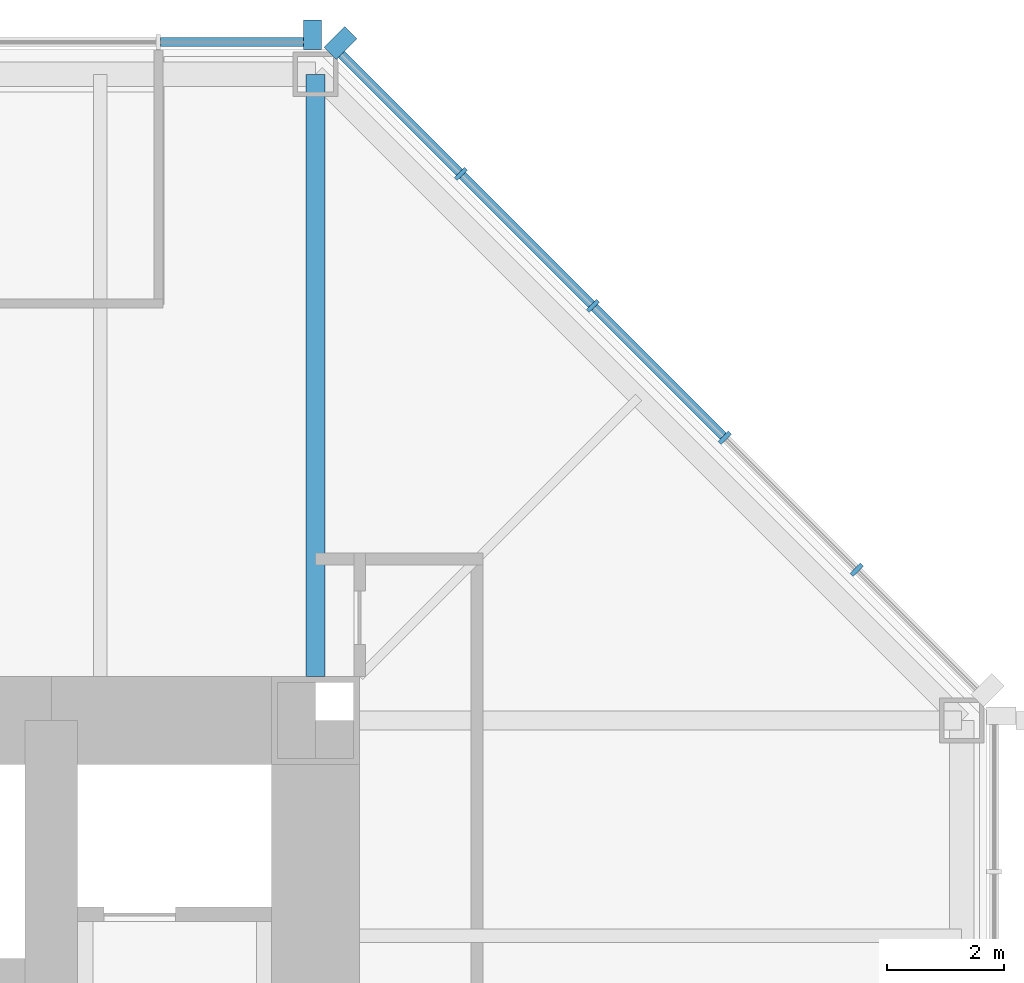
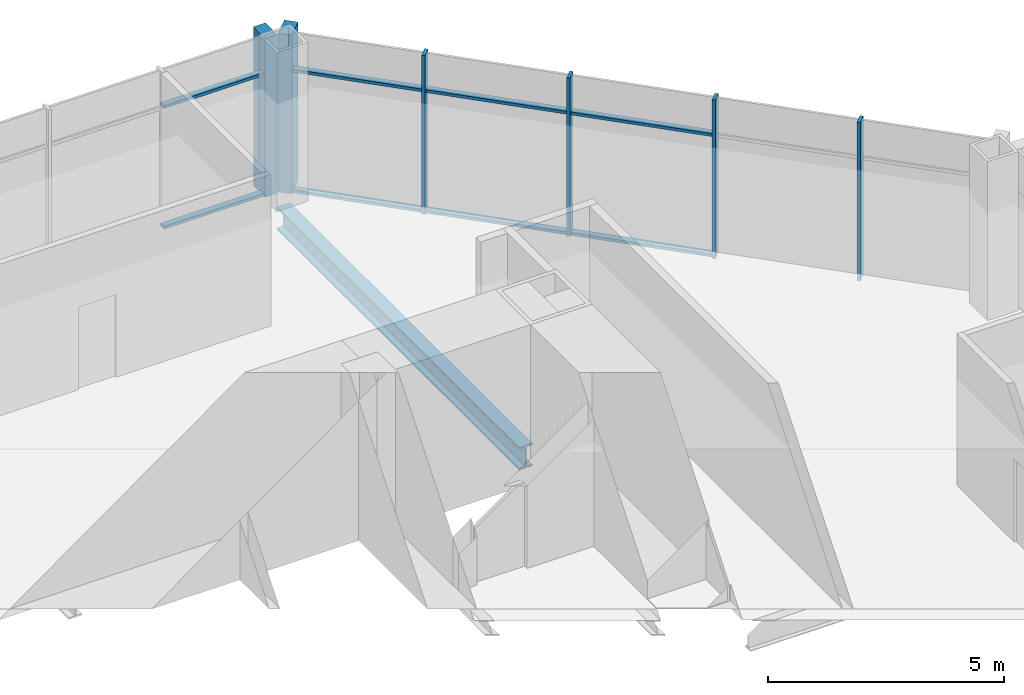
# One storey, part 6 of 12: 14 members, 1 beam, 2 elements without a shape of their own.
"""IFC4 building model written with IfcOpenShell, lengths in metres."""

from ifc_helpers import new_model, si_unit, direction, frame, origin, origin_2d, place, context, subcontext, project, spatial, rectangle, i_section, extrude, material, material_profile, profile_set, type_object, element, aggregate, save


model = new_model("IFC4")

# Units and contexts
model_context = context("Model", 3, precision=1e-05, world=origin(), true_north=direction((0.0, 1.0)))
body_context = subcontext(model_context, "Body", "Model", "MODEL_VIEW")
ifc_project = project(units=[si_unit("LENGTHUNIT", "METRE"), si_unit("AREAUNIT", "SQUARE_METRE"), si_unit("VOLUMEUNIT", "CUBIC_METRE"), si_unit("PLANEANGLEUNIT", "RADIAN"), si_unit("MASSUNIT", "GRAM", prefix="KILO")], contexts=[model_context])

# Site, building, storey
site_placement = place(None, origin())
site = spatial("IfcSite", under=ifc_project, at=site_placement, CompositionType="ELEMENT")
building_placement = place(site_placement, origin())
building = spatial("IfcBuilding", under=site, at=building_placement, Name="Trevanion Tower", CompositionType="ELEMENT")
storey_placement = place(building_placement, frame((0.0, 0.0, 137.699951171875)))
storey = spatial("IfcBuildingStorey", under=building, at=storey_placement, Name="L32", CompositionType="ELEMENT", Elevation=137.699951171875)

# Curtain wall, members
ifc_material_1 = material(Name="Aluminium and glass", Category="aluminium")
curtain_wall_type = type_object("IfcCurtainWallType", Name="CW2 curtain wall", PredefinedType="USERDEFINED", material=ifc_material_1)
curtain_wall_1_placement = place(storey_placement, origin())
curtain_wall_1 = element("IfcCurtainWall", 1, at=curtain_wall_1_placement, inside=storey, type_object=curtain_wall_type, Name="CW2 L32 1", ObjectType="UNITISED CURTAIN WALL", PredefinedType="USERDEFINED")
ifc_material_2 = material(Name="Aluminium extrusion, anodised bronze", Category="aluminium")
ifc_material_profile_1 = material_profile(ifc_material_2, rectangle(XDim=0.074951171875, YDim=0.25, at=origin_2d()), Name="CW2 mullion")
ifc_profile_set_1 = profile_set([ifc_material_profile_1], Name="Aluminium extrusion, anodised bronze")
member_type_1 = type_object("IfcMemberType", Name="CW2 mullion", PredefinedType="MULLION", material=ifc_profile_set_1)
member_1_placement = place(storey_placement, frame((20.2119140625, 13.56591796875, -0.18994140625), z_axis=(0.0, 0.0, 1.0), x_axis=(-0.707106781187, 0.707106781187, 0.0)))
member_1 = element("IfcMember", 2, at=member_1_placement, type_object=member_type_1, Name="CW2 mullion 2", PredefinedType="MULLION", context=body_context, shape_type="SweptSolid", body=[
    extrude(rectangle(XDim=0.074951171875, YDim=0.25, at=origin_2d()), origin(), (0.0, 0.0, 1.0), 4.10009765625),
])
member_2_placement = place(storey_placement, frame((17.966064453125, 15.811767578125, -0.18994140625), z_axis=(0.0, 0.0, 1.0), x_axis=(-0.707106781187, 0.707106781187, 0.0)))
member_2 = element("IfcMember", 3, at=member_2_placement, type_object=member_type_1, Name="CW2 mullion 3", PredefinedType="MULLION", context=body_context, shape_type="SweptSolid", body=[
    extrude(rectangle(XDim=0.074951171875, YDim=0.25, at=origin_2d()), origin(), (0.0, 0.0, 1.0), 4.10009765625),
])
member_3_placement = place(storey_placement, frame((15.719970703125, 18.057861328125, -0.18994140625), z_axis=(0.0, 0.0, 1.0), x_axis=(-0.707106781187, 0.707106781187, 0.0)))
member_3 = element("IfcMember", 4, at=member_3_placement, type_object=member_type_1, Name="CW2 mullion 4", PredefinedType="MULLION", context=body_context, shape_type="SweptSolid", body=[
    extrude(rectangle(XDim=0.074951171875, YDim=0.25, at=origin_2d()), origin(), (0.0, 0.0, 1.0), 4.10009765625),
])
member_4_placement = place(storey_placement, frame((13.473876953125, 20.303955078125, -0.18994140625), z_axis=(0.0, 0.0, 1.0), x_axis=(-0.707106781187, 0.707106781187, 0.0)))
member_4 = element("IfcMember", 5, at=member_4_placement, type_object=member_type_1, Name="CW2 mullion 5", PredefinedType="MULLION", context=body_context, shape_type="SweptSolid", body=[
    extrude(rectangle(XDim=0.074951171875, YDim=0.25, at=origin_2d()), origin(), (0.0, 0.0, 1.0), 4.10009765625),
])
ifc_material_3 = material(Name="Aluminium extrusion, anodised bronze", Category="aluminium")
ifc_material_profile_2 = material_profile(ifc_material_3, rectangle(XDim=0.300048828125, YDim=0.5, at=origin_2d()), Name="CW2 pier mullion")
ifc_profile_set_2 = profile_set([ifc_material_profile_2], Name="Aluminium extrusion, anodised bronze")
member_type_2 = type_object("IfcMemberType", Name="CW2 pier mullion", PredefinedType="MULLION", material=ifc_profile_set_2)
member_5_placement = place(storey_placement, frame((11.42236328125, 22.5322265625, -0.18994140625), z_axis=(0.0, 0.0, 1.0), x_axis=(-0.707106781187, 0.707106781187, 0.0)))
member_5 = element("IfcMember", 6, at=member_5_placement, type_object=member_type_2, Name="CW2 pier mullion 6", PredefinedType="MULLION", context=body_context, shape_type="SweptSolid", body=[
    extrude(rectangle(XDim=0.300048828125, YDim=0.5, at=origin_2d()), origin(), (0.0, 0.0, 1.0), 4.10009765625),
])

# Curtain wall, member
curtain_wall_2_placement = place(storey_placement, origin())
curtain_wall_2 = element("IfcCurtainWall", 7, at=curtain_wall_2_placement, inside=storey, type_object=curtain_wall_type, Name="CW2 L32 2", ObjectType="UNITISED CURTAIN WALL", PredefinedType="USERDEFINED")
member_6_placement = place(storey_placement, frame((10.94775390625, 22.675048828125, -0.18994140625), z_axis=(0.0, 0.0, 1.0), x_axis=(-1.0, 0.0, 0.0)))
member_6 = element("IfcMember", 8, at=member_6_placement, type_object=member_type_2, Name="CW2 pier mullion 1", PredefinedType="MULLION", context=body_context, shape_type="SweptSolid", body=[
    extrude(rectangle(XDim=0.300048828125, YDim=0.5, at=origin_2d()), origin(), (0.0, 0.0, 1.0), 4.10009765625),
])

# Member
ifc_material_4 = material(Name="Aluminium extrusion, anodised bronze", Category="aluminium")
ifc_material_profile_3 = material_profile(ifc_material_4, rectangle(XDim=0.14990234375, YDim=0.074951171875, at=origin_2d()), Name="CW2 transom")
ifc_profile_set_3 = profile_set([ifc_material_profile_3], Name="Aluminium extrusion, anodised bronze")
member_type_3 = type_object("IfcMemberType", Name="CW2 transom", PredefinedType="USERDEFINED", material=ifc_profile_set_3)
member_7_placement = place(storey_placement, frame((17.939453125, 15.83837890625, -0.15234375), z_axis=(-0.707106781187, 0.707106781187, 0.0), x_axis=(-0.707106781187, -0.707106781187, 0.0)))
member_7 = element("IfcMember", 9, at=member_7_placement, type_object=member_type_3, Name="CW2 transom 3.1", ObjectType="TRANSOM", PredefinedType="USERDEFINED", context=body_context, shape_type="SweptSolid", body=[
    extrude(rectangle(XDim=0.14990234375, YDim=0.074951171875, at=origin_2d()), origin(), (0.0, 0.0, 1.0), 3.1015625),
])

member_8_placement = place(storey_placement, frame((17.939453125, 15.83837890625, 2.9599609375), z_axis=(-0.707106781187, 0.707106781187, 0.0), x_axis=(-0.707106781187, -0.707106781187, 0.0)))
member_8 = element("IfcMember", 10, at=member_8_placement, type_object=member_type_3, Name="CW2 transom 3.2", ObjectType="TRANSOM", PredefinedType="USERDEFINED", context=body_context, shape_type="SweptSolid", body=[
    extrude(rectangle(XDim=0.14990234375, YDim=0.074951171875, at=origin_2d()), origin(), (0.0, 0.0, 1.0), 3.1015625),
])

member_9_placement = place(storey_placement, frame((15.693359375, 18.08447265625, -0.15234375), z_axis=(-0.707106781187, 0.707106781187, 0.0), x_axis=(-0.707106781187, -0.707106781187, 0.0)))
member_9 = element("IfcMember", 11, at=member_9_placement, type_object=member_type_3, Name="CW2 transom 4.1", ObjectType="TRANSOM", PredefinedType="USERDEFINED", context=body_context, shape_type="SweptSolid", body=[
    extrude(rectangle(XDim=0.14990234375, YDim=0.074951171875, at=origin_2d()), origin(), (0.0, 0.0, 1.0), 3.10107421875),
])

member_10_placement = place(storey_placement, frame((15.693359375, 18.08447265625, 2.9599609375), z_axis=(-0.707106781187, 0.707106781187, 0.0), x_axis=(-0.707106781187, -0.707106781187, 0.0)))
member_10 = element("IfcMember", 12, at=member_10_placement, type_object=member_type_3, Name="CW2 transom 4.2", ObjectType="TRANSOM", PredefinedType="USERDEFINED", context=body_context, shape_type="SweptSolid", body=[
    extrude(rectangle(XDim=0.14990234375, YDim=0.074951171875, at=origin_2d()), origin(), (0.0, 0.0, 1.0), 3.10107421875),
])

member_11_placement = place(storey_placement, frame((13.447509765625, 20.33056640625, -0.15234375), z_axis=(-0.707149778163, 0.707063781595, 0.0), x_axis=(-0.707063781595, -0.707149778163, 0.0)))
member_11 = element("IfcMember", 13, at=member_11_placement, type_object=member_type_3, Name="CW2 transom 5.1", ObjectType="TRANSOM", PredefinedType="USERDEFINED", context=body_context, shape_type="SweptSolid", body=[
    extrude(rectangle(XDim=0.14990234375, YDim=0.074951171875, at=origin_2d()), origin(), (0.0, 0.0, 1.0), 2.8388671875),
])

member_12_placement = place(storey_placement, frame((13.447509765625, 20.33056640625, 2.9599609375), z_axis=(-0.707149778163, 0.707063781595, 0.0), x_axis=(-0.707063781595, -0.707149778163, 0.0)))
member_12 = element("IfcMember", 14, at=member_12_placement, type_object=member_type_3, Name="CW2 transom 5.2", ObjectType="TRANSOM", PredefinedType="USERDEFINED", context=body_context, shape_type="SweptSolid", body=[
    extrude(rectangle(XDim=0.14990234375, YDim=0.074951171875, at=origin_2d()), origin(), (0.0, 0.0, 1.0), 2.8388671875),
])

aggregate(curtain_wall_1, [member_1, member_2, member_3, member_4, member_5, member_7, member_8, member_9, member_10, member_11, member_12])

member_13_placement = place(storey_placement, frame((10.7978515625, 22.550048828125, -0.15234375), z_axis=(-1.0, 0.0, 0.0), x_axis=(0.0, -1.0, 0.0)))
member_13 = element("IfcMember", 15, at=member_13_placement, type_object=member_type_3, Name="CW2 transom 1.1", ObjectType="TRANSOM", PredefinedType="USERDEFINED", context=body_context, shape_type="SweptSolid", body=[
    extrude(rectangle(XDim=0.14990234375, YDim=0.074951171875, at=origin_2d()), origin(), (0.0, 0.0, 1.0), 2.43701171875),
])

member_14_placement = place(storey_placement, frame((10.7978515625, 22.550048828125, 2.9599609375), z_axis=(-1.0, 0.0, 0.0), x_axis=(0.0, -1.0, 0.0)))
member_14 = element("IfcMember", 16, at=member_14_placement, type_object=member_type_3, Name="CW2 transom 1.2", ObjectType="TRANSOM", PredefinedType="USERDEFINED", context=body_context, shape_type="SweptSolid", body=[
    extrude(rectangle(XDim=0.14990234375, YDim=0.074951171875, at=origin_2d()), origin(), (0.0, 0.0, 1.0), 2.43701171875),
])

aggregate(curtain_wall_2, [member_6, member_13, member_14])

# Beam
ifc_material_5 = material(Name="Steel ASTM A992 Grade 50", Category="steel")
ifc_material_profile_4 = material_profile(ifc_material_5, i_section(OverallWidth=0.320068359375, OverallDepth=0.584228515625, WebThickness=0.023193359375, FlangeThickness=0.04150390625, at=origin_2d()), Name="W21X201")
ifc_profile_set_4 = profile_set([ifc_material_profile_4], Name="Steel ASTM A992 Grade 50")
beam_type = type_object("IfcBeamType", Name="G4 W21X201", PredefinedType="BEAM", material=ifc_profile_set_4)
beam_placement = place(storey_placement, frame((11.0, 11.75, -0.48193359375), z_axis=(0.0, 1.0, 0.0), x_axis=(-1.0, 0.0, 0.0)))
element("IfcBeam", 17, at=beam_placement, inside=storey, type_object=beam_type, Name="G4 L32", PredefinedType="BEAM", context=body_context, shape_type="SweptSolid", body=[
    extrude(i_section(OverallWidth=0.320068359375, OverallDepth=0.584228515625, WebThickness=0.023193359375, FlangeThickness=0.04150390625, at=origin_2d()), origin(), (0.0, 0.0, 1.0), 10.25),
])

save(model, "model.ifc")
